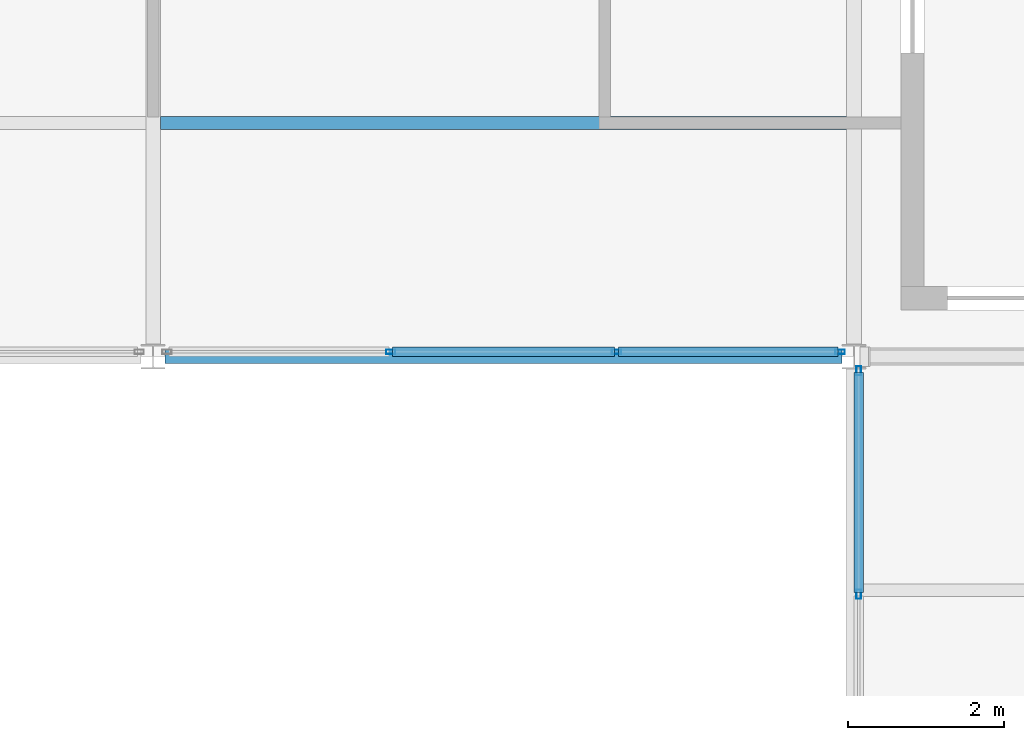
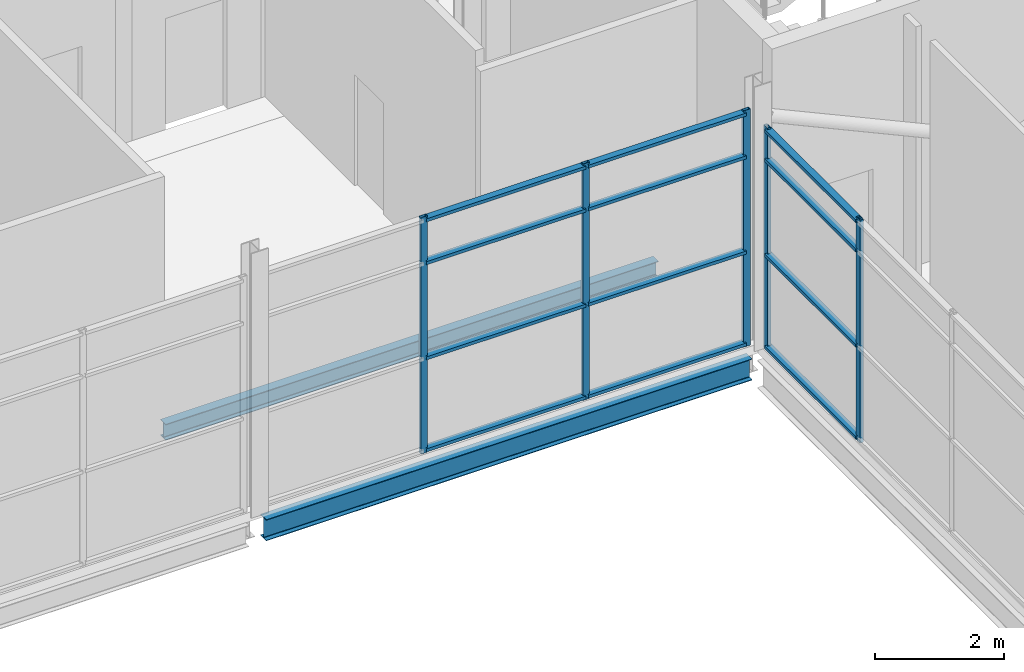
# One storey, part 43 of 61: 17 members, 2 beams, 2 elements without a shape of their own.
"""IFC4 building model written with IfcOpenShell, lengths in metres."""

from ifc_helpers import new_model, si_unit, direction, frame, origin, origin_2d, place, context, subcontext, project, spatial, hollow_rectangle, i_section, extrude, material, layer, layer_set, material_profile, profile_set, type_object, element, aggregate, save


model = new_model("IFC4")

# Units and contexts
model_context = context("Model", 3, precision=1e-05, world=origin(), true_north=direction((0.0, 1.0)))
body_context = subcontext(model_context, "Body", "Model", "MODEL_VIEW")
ifc_project = project(units=[si_unit("LENGTHUNIT", "METRE"), si_unit("AREAUNIT", "SQUARE_METRE"), si_unit("VOLUMEUNIT", "CUBIC_METRE"), si_unit("PLANEANGLEUNIT", "RADIAN"), si_unit("MASSUNIT", "GRAM", prefix="KILO")], contexts=[model_context])

# Site, building, storey
site_placement = place(None, origin())
site = spatial("IfcSite", under=ifc_project, at=site_placement, CompositionType="ELEMENT")
building_placement = place(site_placement, origin())
building = spatial("IfcBuilding", under=site, at=building_placement, Name="Shorebreak Coast Museum", CompositionType="ELEMENT")
storey_placement = place(building_placement, frame((0.0, 0.0, 26.0)))
storey = spatial("IfcBuildingStorey", under=building, at=storey_placement, Name="L04", CompositionType="ELEMENT", Elevation=26.0)

# Beams
ifc_material_1 = material(Name="Steel Grade 300", Category="steel")
ifc_material_profile_1 = material_profile(ifc_material_1, i_section(OverallWidth=0.177978515625, OverallDepth=0.402587890625, WebThickness=0.007568359375, FlangeThickness=0.010986328125, FilletRadius=0.011474609375, at=origin_2d()), Name="410UB53.7")
ifc_profile_set_1 = profile_set([ifc_material_profile_1], Name="Steel Grade 300")
beam_type_1 = type_object("IfcBeamType", Name="Floor girder east-west 410UB53.7", PredefinedType="BEAM", material=ifc_profile_set_1)
beam_1_placement = place(storey_placement, frame((99.154541015625, 81.0, -0.376220703125), z_axis=(1.0, 0.0, 0.0), x_axis=(0.0, 1.0, 0.0)))
element("IfcBeam", 1, at=beam_1_placement, inside=storey, type_object=beam_type_1, Name="Floor girder east-west L04 12K", PredefinedType="BEAM", context=body_context, shape_type="SweptSolid", body=[
    extrude(i_section(OverallWidth=0.177978515625, OverallDepth=0.402587890625, WebThickness=0.007568359375, FlangeThickness=0.010986328125, FilletRadius=0.011474609375, at=origin_2d()), origin(), (0.0, 0.0, 1.0), 8.69091796875),
])
ifc_material_2 = material(Name="Steel Grade 300", Category="steel")
ifc_material_profile_2 = material_profile(ifc_material_2, i_section(OverallWidth=0.1650390625, OverallDepth=0.303955078125, WebThickness=0.006103515625, FlangeThickness=0.01025390625, FilletRadius=0.011474609375, at=origin_2d()), Name="310UB40.4")
ifc_profile_set_2 = profile_set([ifc_material_profile_2], Name="Steel Grade 300")
beam_type_2 = type_object("IfcBeamType", Name="Floor joist 310UB40.4", PredefinedType="JOIST", material=ifc_profile_set_2)
beam_2_placement = place(storey_placement, frame((99.094970703125, 84.0, -0.326904296875), z_axis=(1.0, 0.0, 0.0), x_axis=(0.0, 1.0, 0.0)))
element("IfcBeam", 2, at=beam_2_placement, inside=storey, type_object=beam_type_2, Name="Floor joist L04 bay 12K at 3000 mm", PredefinedType="JOIST", context=body_context, shape_type="SweptSolid", body=[
    extrude(i_section(OverallWidth=0.1650390625, OverallDepth=0.303955078125, WebThickness=0.006103515625, FlangeThickness=0.01025390625, FilletRadius=0.011474609375, at=origin_2d()), origin(), (0.0, 0.0, 1.0), 8.81005859375),
])

# Curtain wall, members
ifc_material_3 = material(Name="Aluminium", Category="aluminium")
ifc_layer = layer(ifc_material_3, 0.1201171875)
ifc_layer_set = layer_set([ifc_layer], Name="Aluminium")
curtain_wall_type = type_object("IfcCurtainWallType", Name="Atrium fire screen", PredefinedType="NOTDEFINED", material=ifc_layer_set)
curtain_wall_1_placement = place(storey_placement, origin())
curtain_wall_1 = element("IfcCurtainWall", 3, at=curtain_wall_1_placement, inside=storey, type_object=curtain_wall_type, Name="Atrium screen L04 N 58", PredefinedType="NOTDEFINED")
ifc_material_4 = material(Name="Aluminium", Category="aluminium")
ifc_material_profile_3 = material_profile(ifc_material_4, hollow_rectangle(XDim=0.06005859375, YDim=0.1201171875, WallThickness=0.00341796875, at=origin_2d()), Name="AL 120x60 RHS")
ifc_profile_set_3 = profile_set([ifc_material_profile_3], Name="Aluminium")
member_type_1 = type_object("IfcMemberType", Name="Screen mullion 50 x 120", PredefinedType="MULLION", material=ifc_profile_set_3)
member_1_placement = place(storey_placement, frame((102.05126953125, 81.06005859375, 0.0), z_axis=(0.0, 0.0, 1.0), x_axis=(0.0, 1.0, 0.0)))
member_1 = element("IfcMember", 4, at=member_1_placement, type_object=member_type_1, Name="CW5 mullion 2", PredefinedType="MULLION", context=body_context, shape_type="SweptSolid", body=[
    extrude(hollow_rectangle(XDim=0.06005859375, YDim=0.1201171875, WallThickness=0.00341796875, at=origin_2d()), origin(), (0.0, 0.0, 1.0), 4.469482421875),
])
member_2_placement = place(storey_placement, frame((104.94873046875, 81.06005859375, 0.0), z_axis=(0.0, 0.0, 1.0), x_axis=(0.0, 1.0, 0.0)))
member_2 = element("IfcMember", 5, at=member_2_placement, type_object=member_type_1, Name="CW5 mullion 3", PredefinedType="MULLION", context=body_context, shape_type="SweptSolid", body=[
    extrude(hollow_rectangle(XDim=0.06005859375, YDim=0.1201171875, WallThickness=0.00341796875, at=origin_2d()), origin(), (0.0, 0.0, 1.0), 4.469482421875),
])
member_3_placement = place(storey_placement, frame((107.821533203125, 81.06005859375, 0.0), z_axis=(0.0, 0.0, 1.0), x_axis=(0.0, 1.0, 0.0)))
member_3 = element("IfcMember", 6, at=member_3_placement, type_object=member_type_1, Name="CW5 mullion 4", PredefinedType="MULLION", context=body_context, shape_type="SweptSolid", body=[
    extrude(hollow_rectangle(XDim=0.06005859375, YDim=0.1201171875, WallThickness=0.00341796875, at=origin_2d()), origin(), (0.0, 0.0, 1.0), 4.469482421875),
])

curtain_wall_2_placement = place(storey_placement, origin())
curtain_wall_2 = element("IfcCurtainWall", 7, at=curtain_wall_2_placement, inside=storey, type_object=curtain_wall_type, Name="Atrium screen L04 E 62", PredefinedType="NOTDEFINED")
member_4_placement = place(storey_placement, frame((108.06005859375, 77.947509765625, 0.0), z_axis=(0.0, 0.0, 1.0), x_axis=(-1.0, 0.0, 0.0)))
member_4 = element("IfcMember", 8, at=member_4_placement, type_object=member_type_1, Name="CW6 mullion 3", PredefinedType="MULLION", context=body_context, shape_type="SweptSolid", body=[
    extrude(hollow_rectangle(XDim=0.06005859375, YDim=0.1201171875, WallThickness=0.00341796875, at=origin_2d()), origin(), (0.0, 0.0, 1.0), 4.212890625),
])
member_5_placement = place(storey_placement, frame((108.06005859375, 80.817626953125, 0.0), z_axis=(0.0, 0.0, 1.0), x_axis=(-1.0, 0.0, 0.0)))
member_5 = element("IfcMember", 9, at=member_5_placement, type_object=member_type_1, Name="CW6 mullion 4", PredefinedType="MULLION", context=body_context, shape_type="SweptSolid", body=[
    extrude(hollow_rectangle(XDim=0.06005859375, YDim=0.1201171875, WallThickness=0.00341796875, at=origin_2d()), origin(), (0.0, 0.0, 1.0), 4.212890625),
])

# Member
ifc_material_5 = material(Name="Aluminium", Category="aluminium")
ifc_material_profile_4 = material_profile(ifc_material_5, hollow_rectangle(XDim=0.1201171875, YDim=0.06005859375, WallThickness=0.00341796875, at=origin_2d()), Name="AL 60x120 RHS")
ifc_profile_set_4 = profile_set([ifc_material_profile_4], Name="Aluminium")
member_type_2 = type_object("IfcMemberType", Name="Screen transom 120 x 50", PredefinedType="USERDEFINED", material=ifc_profile_set_4)
member_6_placement = place(storey_placement, frame((102.076171875, 81.06005859375, 0.06005859375), z_axis=(1.0, 0.0, 0.0), x_axis=(0.0, 1.0, 0.0)))
member_6 = element("IfcMember", 10, at=member_6_placement, type_object=member_type_2, Name="CW5 transom 2.1", ObjectType="TRANSOM", PredefinedType="USERDEFINED", context=body_context, shape_type="SweptSolid", body=[
    extrude(hollow_rectangle(XDim=0.1201171875, YDim=0.06005859375, WallThickness=0.00341796875, at=origin_2d()), origin(), (0.0, 0.0, 1.0), 2.84765625),
])

member_7_placement = place(storey_placement, frame((102.076171875, 81.06005859375, 1.800048828125), z_axis=(1.0, 0.0, 0.0), x_axis=(0.0, 1.0, 0.0)))
member_7 = element("IfcMember", 11, at=member_7_placement, type_object=member_type_2, Name="CW5 transom 2.2", ObjectType="TRANSOM", PredefinedType="USERDEFINED", context=body_context, shape_type="SweptSolid", body=[
    extrude(hollow_rectangle(XDim=0.1201171875, YDim=0.06005859375, WallThickness=0.00341796875, at=origin_2d()), origin(), (0.0, 0.0, 1.0), 2.84765625),
])

member_8_placement = place(storey_placement, frame((102.076171875, 81.06005859375, 3.60009765625), z_axis=(1.0, 0.0, 0.0), x_axis=(0.0, 1.0, 0.0)))
member_8 = element("IfcMember", 12, at=member_8_placement, type_object=member_type_2, Name="CW5 transom 2.3", ObjectType="TRANSOM", PredefinedType="USERDEFINED", context=body_context, shape_type="SweptSolid", body=[
    extrude(hollow_rectangle(XDim=0.1201171875, YDim=0.06005859375, WallThickness=0.00341796875, at=origin_2d()), origin(), (0.0, 0.0, 1.0), 2.84765625),
])

member_9_placement = place(storey_placement, frame((102.076171875, 81.06005859375, 4.409423828125), z_axis=(1.0, 0.0, 0.0), x_axis=(0.0, 1.0, 0.0)))
member_9 = element("IfcMember", 13, at=member_9_placement, type_object=member_type_2, Name="CW5 transom 2.4", ObjectType="TRANSOM", PredefinedType="USERDEFINED", context=body_context, shape_type="SweptSolid", body=[
    extrude(hollow_rectangle(XDim=0.1201171875, YDim=0.06005859375, WallThickness=0.00341796875, at=origin_2d()), origin(), (0.0, 0.0, 1.0), 2.84765625),
])

member_10_placement = place(storey_placement, frame((104.973876953125, 81.06005859375, 0.06005859375), z_axis=(1.0, 0.0, 0.0), x_axis=(0.0, 1.0, 0.0)))
member_10 = element("IfcMember", 14, at=member_10_placement, type_object=member_type_2, Name="CW5 transom 3.1", ObjectType="TRANSOM", PredefinedType="USERDEFINED", context=body_context, shape_type="SweptSolid", body=[
    extrude(hollow_rectangle(XDim=0.1201171875, YDim=0.06005859375, WallThickness=0.00341796875, at=origin_2d()), origin(), (0.0, 0.0, 1.0), 2.822509765625),
])

member_11_placement = place(storey_placement, frame((104.973876953125, 81.06005859375, 1.800048828125), z_axis=(1.0, 0.0, 0.0), x_axis=(0.0, 1.0, 0.0)))
member_11 = element("IfcMember", 15, at=member_11_placement, type_object=member_type_2, Name="CW5 transom 3.2", ObjectType="TRANSOM", PredefinedType="USERDEFINED", context=body_context, shape_type="SweptSolid", body=[
    extrude(hollow_rectangle(XDim=0.1201171875, YDim=0.06005859375, WallThickness=0.00341796875, at=origin_2d()), origin(), (0.0, 0.0, 1.0), 2.822509765625),
])

member_12_placement = place(storey_placement, frame((104.973876953125, 81.06005859375, 3.60009765625), z_axis=(1.0, 0.0, 0.0), x_axis=(0.0, 1.0, 0.0)))
member_12 = element("IfcMember", 16, at=member_12_placement, type_object=member_type_2, Name="CW5 transom 3.3", ObjectType="TRANSOM", PredefinedType="USERDEFINED", context=body_context, shape_type="SweptSolid", body=[
    extrude(hollow_rectangle(XDim=0.1201171875, YDim=0.06005859375, WallThickness=0.00341796875, at=origin_2d()), origin(), (0.0, 0.0, 1.0), 2.822509765625),
])

member_13_placement = place(storey_placement, frame((104.973876953125, 81.06005859375, 4.409423828125), z_axis=(1.0, 0.0, 0.0), x_axis=(0.0, 1.0, 0.0)))
member_13 = element("IfcMember", 17, at=member_13_placement, type_object=member_type_2, Name="CW5 transom 3.4", ObjectType="TRANSOM", PredefinedType="USERDEFINED", context=body_context, shape_type="SweptSolid", body=[
    extrude(hollow_rectangle(XDim=0.1201171875, YDim=0.06005859375, WallThickness=0.00341796875, at=origin_2d()), origin(), (0.0, 0.0, 1.0), 2.822509765625),
])

aggregate(curtain_wall_1, [member_1, member_2, member_3, member_6, member_7, member_8, member_9, member_10, member_11, member_12, member_13])

member_14_placement = place(storey_placement, frame((108.06005859375, 77.97265625, 0.06005859375), z_axis=(0.0, 1.0, 0.0), x_axis=(-1.0, 0.0, 0.0)))
member_14 = element("IfcMember", 18, at=member_14_placement, type_object=member_type_2, Name="CW6 transom 3.1", ObjectType="TRANSOM", PredefinedType="USERDEFINED", context=body_context, shape_type="SweptSolid", body=[
    extrude(hollow_rectangle(XDim=0.1201171875, YDim=0.06005859375, WallThickness=0.00341796875, at=origin_2d()), origin(), (0.0, 0.0, 1.0), 2.820068359375),
])

member_15_placement = place(storey_placement, frame((108.06005859375, 77.97265625, 1.800048828125), z_axis=(0.0, 1.0, 0.0), x_axis=(-1.0, 0.0, 0.0)))
member_15 = element("IfcMember", 19, at=member_15_placement, type_object=member_type_2, Name="CW6 transom 3.2", ObjectType="TRANSOM", PredefinedType="USERDEFINED", context=body_context, shape_type="SweptSolid", body=[
    extrude(hollow_rectangle(XDim=0.1201171875, YDim=0.06005859375, WallThickness=0.00341796875, at=origin_2d()), origin(), (0.0, 0.0, 1.0), 2.820068359375),
])

member_16_placement = place(storey_placement, frame((108.06005859375, 77.97265625, 3.60009765625), z_axis=(0.0, 1.0, 0.0), x_axis=(-1.0, 0.0, 0.0)))
member_16 = element("IfcMember", 20, at=member_16_placement, type_object=member_type_2, Name="CW6 transom 3.3", ObjectType="TRANSOM", PredefinedType="USERDEFINED", context=body_context, shape_type="SweptSolid", body=[
    extrude(hollow_rectangle(XDim=0.1201171875, YDim=0.06005859375, WallThickness=0.00341796875, at=origin_2d()), origin(), (0.0, 0.0, 1.0), 2.820068359375),
])

member_17_placement = place(storey_placement, frame((108.06005859375, 77.97265625, 4.153076171875), z_axis=(0.0, 1.0, 0.0), x_axis=(-1.0, 0.0, 0.0)))
member_17 = element("IfcMember", 21, at=member_17_placement, type_object=member_type_2, Name="CW6 transom 3.4", ObjectType="TRANSOM", PredefinedType="USERDEFINED", context=body_context, shape_type="SweptSolid", body=[
    extrude(hollow_rectangle(XDim=0.1201171875, YDim=0.06005859375, WallThickness=0.00341796875, at=origin_2d()), origin(), (0.0, 0.0, 1.0), 2.820068359375),
])

aggregate(curtain_wall_2, [member_4, member_5, member_14, member_15, member_16, member_17])

save(model, "model.ifc")
